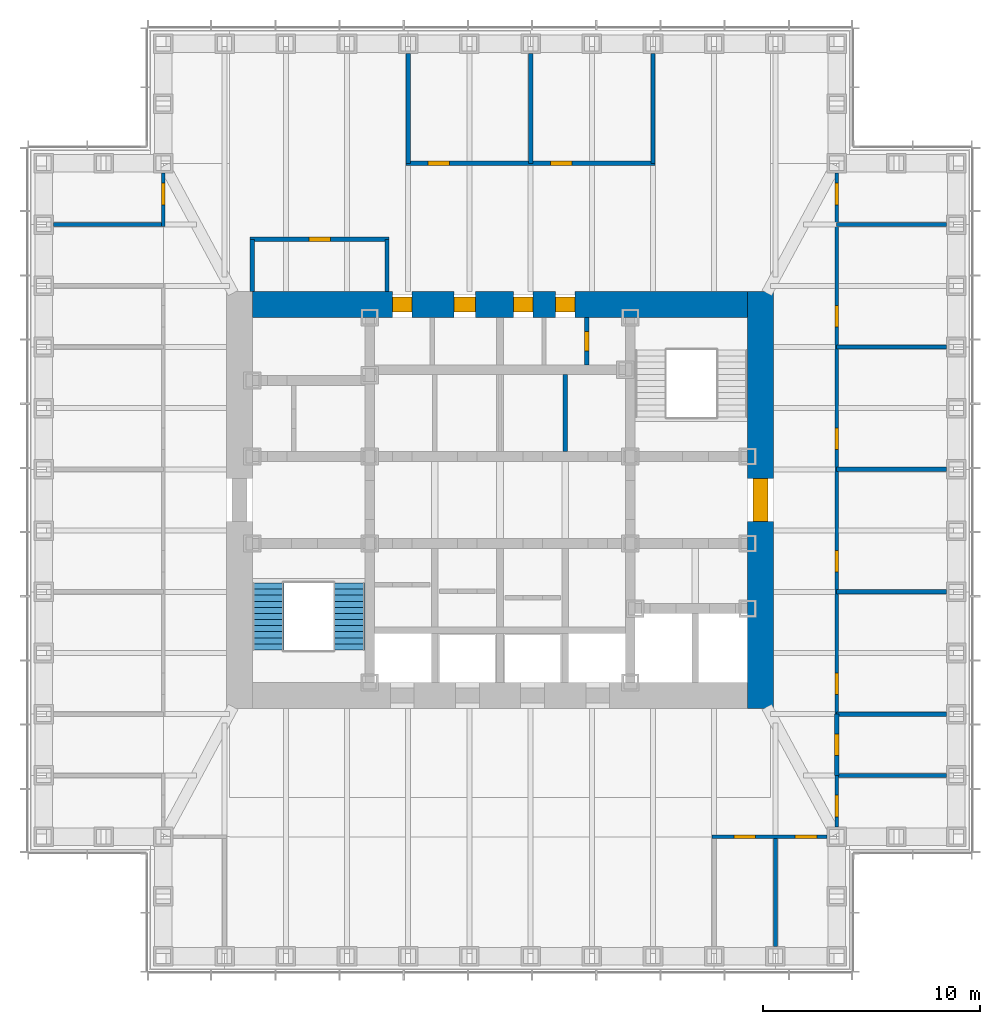
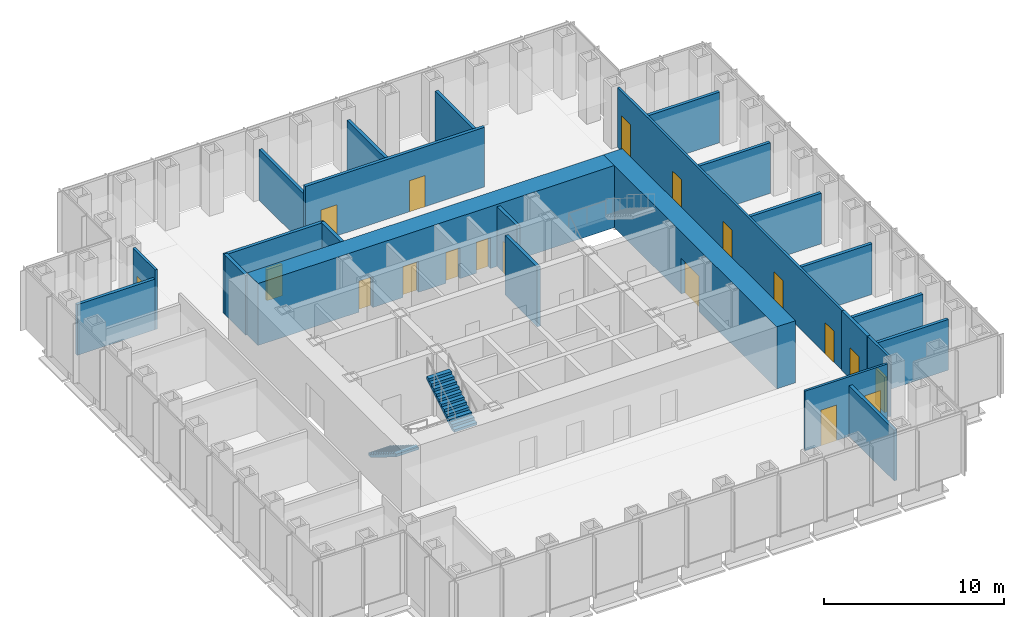
# One storey, part 10 of 17: 24 walls, 19 doors, 2 stair flights, 19 openings, 1 element without a shape of its own.
"""IFC4 building model written with IfcOpenShell, lengths in metres."""

from ifc_helpers import new_model, si_unit, direction, frame, frame_2d, origin, place, context, subcontext, project, spatial, polyline, rectangle, outline, extrude, material, layer, layer_set, type_object, element, fill, aggregate, save


model = new_model("IFC4")

# Units and contexts
model_context = context("Model", 3, precision=1e-05, world=origin(), true_north=direction((0.0, 1.0)))
body_context = subcontext(model_context, "Body", "Model", "MODEL_VIEW")
ifc_project = project(units=[si_unit("LENGTHUNIT", "METRE"), si_unit("AREAUNIT", "SQUARE_METRE"), si_unit("VOLUMEUNIT", "CUBIC_METRE"), si_unit("PLANEANGLEUNIT", "RADIAN"), si_unit("MASSUNIT", "GRAM", prefix="KILO")], contexts=[model_context])

# Site, building, storey
site_placement = place(None, origin())
site = spatial("IfcSite", under=ifc_project, at=site_placement, CompositionType="ELEMENT")
building_placement = place(site_placement, origin())
building = spatial("IfcBuilding", under=site, at=building_placement, Name="Daluyong Arena Tower", CompositionType="ELEMENT")
storey_placement = place(building_placement, frame((0.0, 0.0, 193.89990234375)))
storey = spatial("IfcBuildingStorey", under=building, at=storey_placement, Name="L43", CompositionType="ELEMENT", Elevation=193.89990234375)

# Wall, opening, door
ifc_material_1 = material(Name="Concrete fc' 60 MPa", Category="concrete")
ifc_layer_1 = layer(ifc_material_1, 1.199951171875)
ifc_layer_set_1 = layer_set([ifc_layer_1], Name="Concrete fc' 60 MPa")
wall_type_1 = type_object("IfcWallType", Name="Core wall 1200", PredefinedType="SHEAR", material=ifc_layer_set_1)
wall_1_placement = place(storey_placement, frame((68.0, 70.39990234375, 0.0), z_axis=(0.0, 0.0, 1.0), x_axis=(0.0, 1.0, 0.0)))
wall_1 = element("IfcWall", 1, at=wall_1_placement, inside=storey, type_object=wall_type_1, Name="core wall at L43", PredefinedType="SHEAR", context=body_context, shape_type="SweptSolid", body=[
    extrude(rectangle(XDim=19.2001953125, YDim=1.199951171875, at=frame_2d((9.60009765625, 0.0))), origin(), (0.0, 0.0, 1.0), 4.2001953125),
])
opening_1_placement = place(wall_1_placement, frame((8.60009765625, 0.0, 0.0)))
opening_1 = element("IfcOpeningElement", 2, at=opening_1_placement, cuts=wall_1, Name="Opening 43023", PredefinedType="OPENING", context=body_context, shape_type="SweptSolid", body=[
    extrude(rectangle(XDim=2.0, YDim=2.39990234375, at=frame_2d((1.0, 1.199951171875))), frame((0.0, 0.60986328125, 0.0), z_axis=(0.0, -1.0, 0.0), x_axis=(1.0, 0.0, 0.0)), (0.0, 0.0, 1.0), 1.219970703125),
])
ifc_material_2 = material(Name="Steel door, fire rated", Category="steel")
door_type_1 = type_object("IfcDoorType", Name="Core lobby double door 2000", OperationType="DOUBLE_DOOR_SINGLE_SWING", PredefinedType="DOOR", material=ifc_material_2)
door_1_placement = place(opening_1_placement, origin())
door_1 = element("IfcDoor", 3, at=door_1_placement, inside=storey, type_object=door_type_1, Name="core lobby door east 43023", OperationType="DOUBLE_DOOR_SINGLE_SWING", OverallHeight=2.39990234375, OverallWidth=2.0, PredefinedType="DOOR", context=body_context, shape_type="SweptSolid", body=[
    extrude(rectangle(XDim=2.0, YDim=2.39990234375, at=frame_2d((1.0, 1.199951171875))), frame((0.0, 0.35009765625, 0.0), z_axis=(0.0, -1.0, 0.0), x_axis=(1.0, 0.0, 0.0)), (0.0, 0.0, 1.0), 0.699951171875),
])
fill(opening_1, door_1)

# Wall, openings, doors
wall_2_placement = place(storey_placement, frame((44.60009765625, 89.0, 0.0), z_axis=(0.0, 0.0, 1.0), x_axis=(1.0, 0.0, 0.0)))
wall_2 = element("IfcWall", 4, at=wall_2_placement, inside=storey, type_object=wall_type_1, Name="core wall at L43", PredefinedType="SHEAR", context=body_context, shape_type="SweptSolid", body=[
    extrude(rectangle(XDim=22.7998046875, YDim=1.199951171875, at=frame_2d((11.39990234375, 0.0))), origin(), (0.0, 0.0, 1.0), 4.2001953125),
])
opening_2_placement = place(wall_2_placement, frame((9.27490234375, 0.0, 0.0)))
opening_2 = element("IfcOpeningElement", 5, at=opening_2_placement, cuts=wall_2, Name="Opening 43004", PredefinedType="OPENING", context=body_context, shape_type="SweptSolid", body=[
    extrude(rectangle(XDim=1.0, YDim=2.10009765625, at=frame_2d((0.5, 1.050048828125))), frame((0.0, 0.60986328125, 0.0), z_axis=(0.0, -1.0, 0.0), x_axis=(1.0, 0.0, 0.0)), (0.0, 0.0, 1.0), 1.219970703125),
])
opening_3_placement = place(wall_2_placement, frame((6.449951171875, 0.0, 0.0)))
opening_3 = element("IfcOpeningElement", 6, at=opening_3_placement, cuts=wall_2, Name="Opening 43005", PredefinedType="OPENING", context=body_context, shape_type="SweptSolid", body=[
    extrude(rectangle(XDim=0.89990234375, YDim=2.10009765625, at=frame_2d((0.449951171875, 1.050048828125))), frame((0.0, 0.60986328125, 0.0), z_axis=(0.0, -1.0, 0.0), x_axis=(1.0, 0.0, 0.0)), (0.0, 0.0, 1.0), 1.219970703125),
])
opening_4_placement = place(wall_2_placement, frame((12.02490234375, 0.0, 0.0)))
opening_4 = element("IfcOpeningElement", 7, at=opening_4_placement, cuts=wall_2, Name="Opening 43006", PredefinedType="OPENING", context=body_context, shape_type="SweptSolid", body=[
    extrude(rectangle(XDim=0.89990234375, YDim=2.10009765625, at=frame_2d((0.449951171875, 1.050048828125))), frame((0.0, 0.60986328125, 0.0), z_axis=(0.0, -1.0, 0.0), x_axis=(1.0, 0.0, 0.0)), (0.0, 0.0, 1.0), 1.219970703125),
])
opening_5_placement = place(wall_2_placement, frame((13.96240234375, 0.0, 0.0)))
opening_5 = element("IfcOpeningElement", 8, at=opening_5_placement, cuts=wall_2, Name="Opening 43007", PredefinedType="OPENING", context=body_context, shape_type="SweptSolid", body=[
    extrude(rectangle(XDim=0.89990234375, YDim=2.10009765625, at=frame_2d((0.449951171875, 1.050048828125))), frame((0.0, 0.60986328125, 0.0), z_axis=(0.0, -1.0, 0.0), x_axis=(1.0, 0.0, 0.0)), (0.0, 0.0, 1.0), 1.219970703125),
])
ifc_material_3 = material(Name="Timber door", Category="wood")
door_type_2 = type_object("IfcDoorType", Name="Accessible toilet door 1000", OperationType="SINGLE_SWING_LEFT", PredefinedType="DOOR", material=ifc_material_3)
door_2_placement = place(opening_2_placement, origin())
door_2 = element("IfcDoor", 9, at=door_2_placement, inside=storey, type_object=door_type_2, Name="accessible toilet door 43004", OperationType="SINGLE_SWING_LEFT", OverallHeight=2.10009765625, OverallWidth=1.0, PredefinedType="DOOR", context=body_context, shape_type="SweptSolid", body=[
    extrude(rectangle(XDim=1.0, YDim=2.10009765625, at=frame_2d((0.5, 1.050048828125))), frame((0.0, 0.35009765625, 0.0), z_axis=(0.0, -1.0, 0.0), x_axis=(1.0, 0.0, 0.0)), (0.0, 0.0, 1.0), 0.699951171875),
])
fill(opening_2, door_2)
ifc_material_4 = material(Name="Steel door, fire rated", Category="steel")
door_type_3 = type_object("IfcDoorType", Name="Core room door 900", OperationType="SINGLE_SWING_LEFT", PredefinedType="DOOR", material=ifc_material_4)
door_3_placement = place(opening_3_placement, origin())
door_3 = element("IfcDoor", 10, at=door_3_placement, inside=storey, type_object=door_type_3, Name="staff pantry door 43005", OperationType="SINGLE_SWING_LEFT", OverallHeight=2.10009765625, OverallWidth=0.89990234375, PredefinedType="DOOR", context=body_context, shape_type="SweptSolid", body=[
    extrude(rectangle(XDim=0.89990234375, YDim=2.10009765625, at=frame_2d((0.449951171875, 1.050048828125))), frame((0.0, 0.35009765625, 0.0), z_axis=(0.0, -1.0, 0.0), x_axis=(1.0, 0.0, 0.0)), (0.0, 0.0, 1.0), 0.699951171875),
])
fill(opening_3, door_3)
ifc_material_5 = material(Name="Steel door, fire rated", Category="steel")
door_type_4 = type_object("IfcDoorType", Name="Core store door 900", OperationType="SINGLE_SWING_LEFT", PredefinedType="DOOR", material=ifc_material_5)
door_4_placement = place(opening_4_placement, origin())
door_4 = element("IfcDoor", 11, at=door_4_placement, inside=storey, type_object=door_type_4, Name="cleaner's store door 43006", OperationType="SINGLE_SWING_LEFT", OverallHeight=2.10009765625, OverallWidth=0.89990234375, PredefinedType="DOOR", context=body_context, shape_type="SweptSolid", body=[
    extrude(rectangle(XDim=0.89990234375, YDim=2.10009765625, at=frame_2d((0.449951171875, 1.050048828125))), frame((0.0, 0.35009765625, 0.0), z_axis=(0.0, -1.0, 0.0), x_axis=(1.0, 0.0, 0.0)), (0.0, 0.0, 1.0), 0.699951171875),
])
fill(opening_4, door_4)
door_5_placement = place(opening_5_placement, origin())
door_5 = element("IfcDoor", 12, at=door_5_placement, inside=storey, type_object=door_type_4, Name="security store door 43007", OperationType="SINGLE_SWING_LEFT", OverallHeight=2.10009765625, OverallWidth=0.89990234375, PredefinedType="DOOR", context=body_context, shape_type="SweptSolid", body=[
    extrude(rectangle(XDim=0.89990234375, YDim=2.10009765625, at=frame_2d((0.449951171875, 1.050048828125))), frame((0.0, 0.35009765625, 0.0), z_axis=(0.0, -1.0, 0.0), x_axis=(1.0, 0.0, 0.0)), (0.0, 0.0, 1.0), 0.699951171875),
])
fill(opening_5, door_5)

# Wall, opening, door
ifc_material_6 = material(Name="Concrete block partition, fire rated", Category="concrete")
ifc_layer_2 = layer(ifc_material_6, 0.199951171875)
ifc_layer_set_2 = layer_set([ifc_layer_2], Name="Concrete block partition, fire rated")
wall_type_2 = type_object("IfcWallType", Name="Fire-rated partition 200", PredefinedType="PARTITIONING", material=ifc_layer_set_2)
wall_3_placement = place(storey_placement, frame((60.0, 86.22509765625, 0.0), z_axis=(0.0, 0.0, 1.0), x_axis=(0.0, 1.0, 0.0)))
wall_3 = element("IfcWall", 13, at=wall_3_placement, inside=storey, type_object=wall_type_2, Name="electrical riser enclosure at L43", PredefinedType="PARTITIONING", context=body_context, shape_type="SweptSolid", body=[
    extrude(rectangle(XDim=2.1748046875, YDim=0.199951171875, at=frame_2d((1.08740234375, 0.0))), origin(), (0.0, 0.0, 1.0), 4.0400390625),
])
opening_6_placement = place(wall_3_placement, frame((0.637451171875, 0.0, 0.0)))
opening_6 = element("IfcOpeningElement", 14, at=opening_6_placement, cuts=wall_3, Name="Opening 43008", PredefinedType="OPENING", context=body_context, shape_type="SweptSolid", body=[
    extrude(rectangle(XDim=0.89990234375, YDim=2.10009765625, at=frame_2d((0.449951171875, 1.050048828125))), frame((0.0, 0.10986328125, 0.0), z_axis=(0.0, -1.0, 0.0), x_axis=(1.0, 0.0, 0.0)), (0.0, 0.0, 1.0), 0.219970703125),
])
ifc_material_7 = material(Name="Steel door, fire rated", Category="steel")
door_type_5 = type_object("IfcDoorType", Name="Riser door 900", OperationType="SINGLE_SWING_LEFT", PredefinedType="DOOR", material=ifc_material_7)
door_6_placement = place(opening_6_placement, origin())
door_6 = element("IfcDoor", 15, at=door_6_placement, inside=storey, type_object=door_type_5, Name="riser door 43008", OperationType="SINGLE_SWING_LEFT", OverallHeight=2.10009765625, OverallWidth=0.89990234375, PredefinedType="DOOR", context=body_context, shape_type="SweptSolid", body=[
    extrude(rectangle(XDim=0.89990234375, YDim=2.10009765625, at=frame_2d((0.449951171875, 1.050048828125))), frame((0.0, 0.099609375, 0.0), z_axis=(0.0, -1.0, 0.0), x_axis=(1.0, 0.0, 0.0)), (0.0, 0.0, 1.0), 0.199462890625),
])
fill(opening_6, door_6)

# Wall
wall_4_placement = place(storey_placement, frame((59.0, 82.22509765625, 0.0), z_axis=(0.0, 0.0, 1.0), x_axis=(0.0, 1.0, 0.0)))
element("IfcWall", 16, at=wall_4_placement, inside=storey, type_object=wall_type_2, Name="core room partition at L43", PredefinedType="PARTITIONING", context=body_context, shape_type="SweptSolid", body=[
    extrude(rectangle(XDim=3.5498046875, YDim=0.199951171875, at=frame_2d((1.77490234375, 0.0))), origin(), (0.0, 0.0, 1.0), 4.0400390625),
])

# Wall, openings, doors
ifc_material_8 = material(Name="Glazed aluminium partition", Category="aluminium")
ifc_layer_3 = layer(ifc_material_8, 0.14990234375)
ifc_layer_set_3 = layer_set([ifc_layer_3], Name="Glazed aluminium partition")
wall_type_3 = type_object("IfcWallType", Name="Glazed partition 150", PredefinedType="PARTITIONING", material=ifc_layer_set_3)
wall_5_placement = place(storey_placement, frame((65.763671875, 64.5, 0.0), z_axis=(0.0, 0.0, 1.0), x_axis=(1.0, 0.0, 0.0)))
wall_5 = element("IfcWall", 17, at=wall_5_placement, inside=storey, type_object=wall_type_3, Name="glazed partition at L43", PredefinedType="PARTITIONING", context=body_context, shape_type="SweptSolid", body=[
    extrude(rectangle(XDim=5.286376953125, YDim=0.14990234375, at=frame_2d((2.64306640625, 0.0))), origin(), (0.0, 0.0, 1.0), 4.0400390625),
])
opening_7_placement = place(wall_5_placement, frame((1.009033203125, 0.0, 0.0)))
opening_7 = element("IfcOpeningElement", 18, at=opening_7_placement, cuts=wall_5, Name="Opening 43034", PredefinedType="OPENING", context=body_context, shape_type="SweptSolid", body=[
    extrude(rectangle(XDim=1.0, YDim=2.39990234375, at=frame_2d((0.5, 1.199951171875))), frame((0.0, 0.0849609375, 0.0), z_axis=(0.0, -1.0, 0.0), x_axis=(1.0, 0.0, 0.0)), (0.0, 0.0, 1.0), 0.169921875),
])
opening_8_placement = place(wall_5_placement, frame((3.827392578125, 0.0, 0.0)))
opening_8 = element("IfcOpeningElement", 19, at=opening_8_placement, cuts=wall_5, Name="Opening 43035", PredefinedType="OPENING", context=body_context, shape_type="SweptSolid", body=[
    extrude(rectangle(XDim=1.0, YDim=2.39990234375, at=frame_2d((0.5, 1.199951171875))), frame((0.0, 0.0849609375, 0.0), z_axis=(0.0, -1.0, 0.0), x_axis=(1.0, 0.0, 0.0)), (0.0, 0.0, 1.0), 0.169921875),
])
ifc_material_9 = material(Name="Glazed aluminium door", Category="aluminium")
door_type_6 = type_object("IfcDoorType", Name="Meeting room glazed door 1000", OperationType="SINGLE_SWING_RIGHT", PredefinedType="DOOR", material=ifc_material_9)
door_7_placement = place(opening_7_placement, origin())
door_7 = element("IfcDoor", 20, at=door_7_placement, inside=storey, type_object=door_type_6, Name="focus room door 43034", OperationType="SINGLE_SWING_RIGHT", OverallHeight=2.39990234375, OverallWidth=1.0, PredefinedType="DOOR", context=body_context, shape_type="SweptSolid", body=[
    extrude(rectangle(XDim=1.0, YDim=2.39990234375, at=frame_2d((0.5, 1.199951171875))), frame((0.0, 0.07470703125, 0.0), z_axis=(0.0, -1.0, 0.0), x_axis=(1.0, 0.0, 0.0)), (0.0, 0.0, 1.0), 0.1494140625),
])
fill(opening_7, door_7)
door_8_placement = place(opening_8_placement, origin())
door_8 = element("IfcDoor", 21, at=door_8_placement, inside=storey, type_object=door_type_6, Name="focus room door 43035", OperationType="SINGLE_SWING_RIGHT", OverallHeight=2.39990234375, OverallWidth=1.0, PredefinedType="DOOR", context=body_context, shape_type="SweptSolid", body=[
    extrude(rectangle(XDim=1.0, YDim=2.39990234375, at=frame_2d((0.5, 1.199951171875))), frame((0.0, 0.07470703125, 0.0), z_axis=(0.0, -1.0, 0.0), x_axis=(1.0, 0.0, 0.0)), (0.0, 0.0, 1.0), 0.1494140625),
])
fill(opening_8, door_8)

# Wall, opening, door
wall_6_placement = place(storey_placement, frame((40.5, 92.581787109375, 0.0), z_axis=(0.0, 0.0, 1.0), x_axis=(0.0, 1.0, 0.0)))
wall_6 = element("IfcWall", 22, at=wall_6_placement, inside=storey, type_object=wall_type_3, Name="glazed partition at L43", PredefinedType="PARTITIONING", context=body_context, shape_type="SweptSolid", body=[
    extrude(rectangle(XDim=2.46826171875, YDim=0.14990234375, at=frame_2d((1.234130859375, 0.0))), origin(), (0.0, 0.0, 1.0), 4.0400390625),
])
opening_9_placement = place(wall_6_placement, frame((1.009033203125, 0.0, 0.0)))
opening_9 = element("IfcOpeningElement", 23, at=opening_9_placement, cuts=wall_6, Name="Opening 43050", PredefinedType="OPENING", context=body_context, shape_type="SweptSolid", body=[
    extrude(rectangle(XDim=1.0, YDim=2.39990234375, at=frame_2d((0.5, 1.199951171875))), frame((0.0, 0.0849609375, 0.0), z_axis=(0.0, -1.0, 0.0), x_axis=(1.0, 0.0, 0.0)), (0.0, 0.0, 1.0), 0.169921875),
])
door_9_placement = place(opening_9_placement, origin())
door_9 = element("IfcDoor", 24, at=door_9_placement, inside=storey, type_object=door_type_6, Name="focus room door 43050", OperationType="SINGLE_SWING_RIGHT", OverallHeight=2.39990234375, OverallWidth=1.0, PredefinedType="DOOR", context=body_context, shape_type="SweptSolid", body=[
    extrude(rectangle(XDim=1.0, YDim=2.39990234375, at=frame_2d((0.5, 1.199951171875))), frame((0.0, 0.07470703125, 0.0), z_axis=(0.0, -1.0, 0.0), x_axis=(1.0, 0.0, 0.0)), (0.0, 0.0, 1.0), 0.1494140625),
])
fill(opening_9, door_9)

wall_7_placement = place(storey_placement, frame((71.5, 64.949951171875, 0.0), z_axis=(0.0, 0.0, 1.0), x_axis=(0.0, 1.0, 0.0)))
wall_7 = element("IfcWall", 25, at=wall_7_placement, inside=storey, type_object=wall_type_3, Name="glazed partition at L43", PredefinedType="PARTITIONING", context=body_context, shape_type="SweptSolid", body=[
    extrude(rectangle(XDim=2.3681640625, YDim=0.14990234375, at=frame_2d((1.18408203125, 0.0))), origin(), (0.0, 0.0, 1.0), 4.0400390625),
])
opening_10_placement = place(wall_7_placement, frame((0.458984375, 0.0, 0.0)))
opening_10 = element("IfcOpeningElement", 26, at=opening_10_placement, cuts=wall_7, Name="Opening 43036", PredefinedType="OPENING", context=body_context, shape_type="SweptSolid", body=[
    extrude(rectangle(XDim=1.0, YDim=2.39990234375, at=frame_2d((0.5, 1.199951171875))), frame((0.0, 0.0849609375, 0.0), z_axis=(0.0, -1.0, 0.0), x_axis=(1.0, 0.0, 0.0)), (0.0, 0.0, 1.0), 0.169921875),
])
door_10_placement = place(opening_10_placement, origin())
door_10 = element("IfcDoor", 27, at=door_10_placement, inside=storey, type_object=door_type_6, Name="focus room door 43036", OperationType="SINGLE_SWING_RIGHT", OverallHeight=2.39990234375, OverallWidth=1.0, PredefinedType="DOOR", context=body_context, shape_type="SweptSolid", body=[
    extrude(rectangle(XDim=1.0, YDim=2.39990234375, at=frame_2d((0.5, 1.199951171875))), frame((0.0, 0.07470703125, 0.0), z_axis=(0.0, -1.0, 0.0), x_axis=(1.0, 0.0, 0.0)), (0.0, 0.0, 1.0), 0.1494140625),
])
fill(opening_10, door_10)

# Wall, openings, doors
wall_8_placement = place(storey_placement, frame((71.5, 70.136474609375, 0.0), z_axis=(0.0, 0.0, 1.0), x_axis=(0.0, 1.0, 0.0)))
wall_8 = element("IfcWall", 28, at=wall_8_placement, inside=storey, type_object=wall_type_3, Name="glazed partition at L43", PredefinedType="PARTITIONING", context=body_context, shape_type="SweptSolid", body=[
    extrude(rectangle(XDim=24.91357421875, YDim=0.14990234375, at=frame_2d((12.456787109375, 0.0))), origin(), (0.0, 0.0, 1.0), 4.0400390625),
])
opening_11_placement = place(wall_8_placement, frame((0.9091796875, 0.0, 0.0)))
opening_11 = element("IfcOpeningElement", 29, at=opening_11_placement, cuts=wall_8, Name="Opening 43038", PredefinedType="OPENING", context=body_context, shape_type="SweptSolid", body=[
    extrude(rectangle(XDim=1.0, YDim=2.10009765625, at=frame_2d((0.5, 1.050048828125))), frame((0.0, 0.0849609375, 0.0), z_axis=(0.0, -1.0, 0.0), x_axis=(1.0, 0.0, 0.0)), (0.0, 0.0, 1.0), 0.169921875),
])
opening_12_placement = place(wall_8_placement, frame((6.54541015625, 0.0, 0.0)))
opening_12 = element("IfcOpeningElement", 30, at=opening_12_placement, cuts=wall_8, Name="Opening 43039", PredefinedType="OPENING", context=body_context, shape_type="SweptSolid", body=[
    extrude(rectangle(XDim=1.0, YDim=2.10009765625, at=frame_2d((0.5, 1.050048828125))), frame((0.0, 0.0849609375, 0.0), z_axis=(0.0, -1.0, 0.0), x_axis=(1.0, 0.0, 0.0)), (0.0, 0.0, 1.0), 0.169921875),
])
opening_13_placement = place(wall_8_placement, frame((12.181884765625, 0.0, 0.0)))
opening_13 = element("IfcOpeningElement", 31, at=opening_13_placement, cuts=wall_8, Name="Opening 43040", PredefinedType="OPENING", context=body_context, shape_type="SweptSolid", body=[
    extrude(rectangle(XDim=1.0, YDim=2.10009765625, at=frame_2d((0.5, 1.050048828125))), frame((0.0, 0.0849609375, 0.0), z_axis=(0.0, -1.0, 0.0), x_axis=(1.0, 0.0, 0.0)), (0.0, 0.0, 1.0), 0.169921875),
])
opening_14_placement = place(wall_8_placement, frame((17.818115234375, 0.0, 0.0)))
opening_14 = element("IfcOpeningElement", 32, at=opening_14_placement, cuts=wall_8, Name="Opening 43041", PredefinedType="OPENING", context=body_context, shape_type="SweptSolid", body=[
    extrude(rectangle(XDim=1.0, YDim=2.10009765625, at=frame_2d((0.5, 1.050048828125))), frame((0.0, 0.0849609375, 0.0), z_axis=(0.0, -1.0, 0.0), x_axis=(1.0, 0.0, 0.0)), (0.0, 0.0, 1.0), 0.169921875),
])
opening_15_placement = place(wall_8_placement, frame((23.45458984375, 0.0, 0.0)))
opening_15 = element("IfcOpeningElement", 33, at=opening_15_placement, cuts=wall_8, Name="Opening 43042", PredefinedType="OPENING", context=body_context, shape_type="SweptSolid", body=[
    extrude(rectangle(XDim=1.0, YDim=2.39990234375, at=frame_2d((0.5, 1.199951171875))), frame((0.0, 0.0849609375, 0.0), z_axis=(0.0, -1.0, 0.0), x_axis=(1.0, 0.0, 0.0)), (0.0, 0.0, 1.0), 0.169921875),
])
door_11_placement = place(opening_15_placement, origin())
door_11 = element("IfcDoor", 34, at=door_11_placement, inside=storey, type_object=door_type_6, Name="focus room door 43042", OperationType="SINGLE_SWING_RIGHT", OverallHeight=2.39990234375, OverallWidth=1.0, PredefinedType="DOOR", context=body_context, shape_type="SweptSolid", body=[
    extrude(rectangle(XDim=1.0, YDim=2.39990234375, at=frame_2d((0.5, 1.199951171875))), frame((0.0, 0.07470703125, 0.0), z_axis=(0.0, -1.0, 0.0), x_axis=(1.0, 0.0, 0.0)), (0.0, 0.0, 1.0), 0.1494140625),
])
fill(opening_15, door_11)
ifc_material_10 = material(Name="Timber door", Category="wood")
door_type_7 = type_object("IfcDoorType", Name="Room door 1000", OperationType="SINGLE_SWING_LEFT", PredefinedType="DOOR", material=ifc_material_10)
door_12_placement = place(opening_11_placement, origin())
door_12 = element("IfcDoor", 35, at=door_12_placement, inside=storey, type_object=door_type_7, Name="office door 43038", OperationType="SINGLE_SWING_LEFT", OverallHeight=2.10009765625, OverallWidth=1.0, PredefinedType="DOOR", context=body_context, shape_type="SweptSolid", body=[
    extrude(rectangle(XDim=1.0, YDim=2.10009765625, at=frame_2d((0.5, 1.050048828125))), frame((0.0, 0.07470703125, 0.0), z_axis=(0.0, -1.0, 0.0), x_axis=(1.0, 0.0, 0.0)), (0.0, 0.0, 1.0), 0.1494140625),
])
fill(opening_11, door_12)
door_13_placement = place(opening_12_placement, origin())
door_13 = element("IfcDoor", 36, at=door_13_placement, inside=storey, type_object=door_type_7, Name="office door 43039", OperationType="SINGLE_SWING_LEFT", OverallHeight=2.10009765625, OverallWidth=1.0, PredefinedType="DOOR", context=body_context, shape_type="SweptSolid", body=[
    extrude(rectangle(XDim=1.0, YDim=2.10009765625, at=frame_2d((0.5, 1.050048828125))), frame((0.0, 0.07470703125, 0.0), z_axis=(0.0, -1.0, 0.0), x_axis=(1.0, 0.0, 0.0)), (0.0, 0.0, 1.0), 0.1494140625),
])
fill(opening_12, door_13)
door_14_placement = place(opening_13_placement, origin())
door_14 = element("IfcDoor", 37, at=door_14_placement, inside=storey, type_object=door_type_7, Name="office door 43040", OperationType="SINGLE_SWING_LEFT", OverallHeight=2.10009765625, OverallWidth=1.0, PredefinedType="DOOR", context=body_context, shape_type="SweptSolid", body=[
    extrude(rectangle(XDim=1.0, YDim=2.10009765625, at=frame_2d((0.5, 1.050048828125))), frame((0.0, 0.07470703125, 0.0), z_axis=(0.0, -1.0, 0.0), x_axis=(1.0, 0.0, 0.0)), (0.0, 0.0, 1.0), 0.1494140625),
])
fill(opening_13, door_14)
door_15_placement = place(opening_14_placement, origin())
door_15 = element("IfcDoor", 38, at=door_15_placement, inside=storey, type_object=door_type_7, Name="office door 43041", OperationType="SINGLE_SWING_LEFT", OverallHeight=2.10009765625, OverallWidth=1.0, PredefinedType="DOOR", context=body_context, shape_type="SweptSolid", body=[
    extrude(rectangle(XDim=1.0, YDim=2.10009765625, at=frame_2d((0.5, 1.050048828125))), frame((0.0, 0.07470703125, 0.0), z_axis=(0.0, -1.0, 0.0), x_axis=(1.0, 0.0, 0.0)), (0.0, 0.0, 1.0), 0.1494140625),
])
fill(opening_14, door_15)

# Walls
ifc_material_11 = material(Name="Concrete block partition", Category="concrete")
ifc_layer_4 = layer(ifc_material_11, 0.199951171875)
ifc_layer_set_4 = layer_set([ifc_layer_4], Name="Concrete block partition")
wall_type_4 = type_object("IfcWallType", Name="Partition 200", PredefinedType="PARTITIONING", material=ifc_layer_set_4)
for number, where, z_axis, x_axis, name in (
    (39, (68.681884765625, 59.449951171875, 0.0), (0.0, 0.0, 1.0), (0.0, 1.0, 0.0), "partition at L43"),
    (40, (71.5, 67.318115234375, 0.0), (0.0, 0.0, 1.0), (1.0, 0.0, 0.0), "partition at L43"),
    (41, (71.5, 70.136474609375, 0.0), (0.0, 0.0, 1.0), (1.0, 0.0, 0.0), "partition at L43"),
    (42, (71.5, 75.772705078125, 0.0), (0.0, 0.0, 1.0), (1.0, 0.0, 0.0), "partition at L43"),
    (43, (71.5, 81.4091796875, 0.0), (0.0, 0.0, 1.0), (1.0, 0.0, 0.0), "partition at L43"),
    (44, (71.5, 87.04541015625, 0.0), (0.0, 0.0, 1.0), (1.0, 0.0, 0.0), "partition at L43"),
    (45, (71.5, 92.681884765625, 0.0), (0.0, 0.0, 1.0), (1.0, 0.0, 0.0), "partition at L43"),
    (46, (51.772705078125, 95.5, 0.0), (0.0, 0.0, 1.0), (0.0, 1.0, 0.0), "partition at L43"),
    (47, (57.4091796875, 95.5, 0.0), (0.0, 0.0, 1.0), (0.0, 1.0, 0.0), "partition at L43"),
    (48, (63.04541015625, 95.5, 0.0), (0.0, 0.0, 1.0), (0.0, 1.0, 0.0), "partition at L43"),
    (49, (35.449951171875, 92.681884765625, 0.0), (0.0, 0.0, 1.0), (1.0, 0.0, 0.0), "partition at L43"),
):
    element("IfcWall", number, at=place(storey_placement, frame(where, z_axis=z_axis, x_axis=x_axis)), inside=storey, type_object=wall_type_4, Name=name, PredefinedType="PARTITIONING", context=body_context, shape_type="SweptSolid", body=[
        extrude(rectangle(XDim=5.050048828125, YDim=0.199951171875, at=frame_2d((2.52490234375, 0.0))), origin(), (0.0, 0.0, 1.0), 3.427978515625),
    ])
for number, where, z_axis, x_axis, name in (
    (50, (44.60009765625, 89.60009765625, 0.0), (0.0, 0.0, 1.0), (0.0, 1.0, 0.0), "partition at L43"),
    (51, (50.800048828125, 89.60009765625, 0.0), (0.0, 0.0, 1.0), (0.0, 1.0, 0.0), "partition at L43"),
):
    element("IfcWall", number, at=place(storey_placement, frame(where, z_axis=z_axis, x_axis=x_axis)), inside=storey, type_object=wall_type_4, Name=name, PredefinedType="PARTITIONING", context=body_context, shape_type="SweptSolid", body=[
        extrude(rectangle(XDim=2.39990234375, YDim=0.199951171875, at=frame_2d((1.199951171875, 0.0))), origin(), (0.0, 0.0, 1.0), 4.0400390625),
    ])

# Wall, opening, door
wall_9_placement = place(storey_placement, frame((44.5, 92.0, 0.0), z_axis=(0.0, 0.0, 1.0), x_axis=(1.0, 0.0, 0.0)))
wall_9 = element("IfcWall", 52, at=wall_9_placement, inside=storey, type_object=wall_type_4, Name="partition at L43", PredefinedType="PARTITIONING", context=body_context, shape_type="SweptSolid", body=[
    extrude(rectangle(XDim=6.39990234375, YDim=0.199951171875, at=frame_2d((3.199951171875, 0.0))), origin(), (0.0, 0.0, 1.0), 4.0400390625),
])
opening_16_placement = place(wall_9_placement, frame((2.699951171875, 0.0, 0.0)))
opening_16 = element("IfcOpeningElement", 53, at=opening_16_placement, cuts=wall_9, Name="Opening 43051", PredefinedType="OPENING", context=body_context, shape_type="SweptSolid", body=[
    extrude(rectangle(XDim=1.0, YDim=2.10009765625, at=frame_2d((0.5, 1.050048828125))), frame((0.0, 0.10986328125, 0.0), z_axis=(0.0, -1.0, 0.0), x_axis=(1.0, 0.0, 0.0)), (0.0, 0.0, 1.0), 0.219970703125),
])
door_16_placement = place(opening_16_placement, origin())
door_16 = element("IfcDoor", 54, at=door_16_placement, inside=storey, type_object=door_type_7, Name="copy room door 43051", OperationType="SINGLE_SWING_LEFT", OverallHeight=2.10009765625, OverallWidth=1.0, PredefinedType="DOOR", context=body_context, shape_type="SweptSolid", body=[
    extrude(rectangle(XDim=1.0, YDim=2.10009765625, at=frame_2d((0.5, 1.050048828125))), frame((0.0, 0.099609375, 0.0), z_axis=(0.0, -1.0, 0.0), x_axis=(1.0, 0.0, 0.0)), (0.0, 0.0, 1.0), 0.199462890625),
])
fill(opening_16, door_16)

# Wall, openings, doors
wall_10_placement = place(storey_placement, frame((51.672607421875, 95.5, 0.0), z_axis=(0.0, 0.0, 1.0), x_axis=(1.0, 0.0, 0.0)))
wall_10 = element("IfcWall", 55, at=wall_10_placement, inside=storey, type_object=wall_type_4, Name="partition at L43", PredefinedType="PARTITIONING", context=body_context, shape_type="SweptSolid", body=[
    extrude(rectangle(XDim=11.472900390625, YDim=0.199951171875, at=frame_2d((5.736328125, 0.0))), origin(), (0.0, 0.0, 1.0), 4.0400390625),
])
opening_17_placement = place(wall_10_placement, frame((1.009033203125, 0.0, 0.0)))
opening_17 = element("IfcOpeningElement", 56, at=opening_17_placement, cuts=wall_10, Name="Opening 43043", PredefinedType="OPENING", context=body_context, shape_type="SweptSolid", body=[
    extrude(rectangle(XDim=1.0, YDim=2.10009765625, at=frame_2d((0.5, 1.050048828125))), frame((0.0, 0.10986328125, 0.0), z_axis=(0.0, -1.0, 0.0), x_axis=(1.0, 0.0, 0.0)), (0.0, 0.0, 1.0), 0.219970703125),
])
opening_18_placement = place(wall_10_placement, frame((6.6455078125, 0.0, 0.0)))
opening_18 = element("IfcOpeningElement", 57, at=opening_18_placement, cuts=wall_10, Name="Opening 43044", PredefinedType="OPENING", context=body_context, shape_type="SweptSolid", body=[
    extrude(rectangle(XDim=1.0, YDim=2.10009765625, at=frame_2d((0.5, 1.050048828125))), frame((0.0, 0.10986328125, 0.0), z_axis=(0.0, -1.0, 0.0), x_axis=(1.0, 0.0, 0.0)), (0.0, 0.0, 1.0), 0.219970703125),
])
door_17_placement = place(opening_17_placement, origin())
door_17 = element("IfcDoor", 58, at=door_17_placement, inside=storey, type_object=door_type_7, Name="project room door 43043", OperationType="SINGLE_SWING_LEFT", OverallHeight=2.10009765625, OverallWidth=1.0, PredefinedType="DOOR", context=body_context, shape_type="SweptSolid", body=[
    extrude(rectangle(XDim=1.0, YDim=2.10009765625, at=frame_2d((0.5, 1.050048828125))), frame((0.0, 0.099609375, 0.0), z_axis=(0.0, -1.0, 0.0), x_axis=(1.0, 0.0, 0.0)), (0.0, 0.0, 1.0), 0.199462890625),
])
fill(opening_17, door_17)
door_18_placement = place(opening_18_placement, origin())
door_18 = element("IfcDoor", 59, at=door_18_placement, inside=storey, type_object=door_type_7, Name="pantry door 43044", OperationType="SINGLE_SWING_LEFT", OverallHeight=2.10009765625, OverallWidth=1.0, PredefinedType="DOOR", context=body_context, shape_type="SweptSolid", body=[
    extrude(rectangle(XDim=1.0, YDim=2.10009765625, at=frame_2d((0.5, 1.050048828125))), frame((0.0, 0.099609375, 0.0), z_axis=(0.0, -1.0, 0.0), x_axis=(1.0, 0.0, 0.0)), (0.0, 0.0, 1.0), 0.199462890625),
])
fill(opening_18, door_18)

# Wall, opening, door
wall_11_placement = place(storey_placement, frame((71.5, 67.318115234375, 0.0), z_axis=(0.0, 0.0, 1.0), x_axis=(0.0, 1.0, 0.0)))
wall_11 = element("IfcWall", 60, at=wall_11_placement, inside=storey, type_object=wall_type_4, Name="partition at L43", PredefinedType="PARTITIONING", context=body_context, shape_type="SweptSolid", body=[
    extrude(rectangle(XDim=2.818359375, YDim=0.199951171875, at=frame_2d((1.4091796875, 0.0))), origin(), (0.0, 0.0, 1.0), 4.0400390625),
])
opening_19_placement = place(wall_11_placement, frame((0.9091796875, 0.0, 0.0)))
opening_19 = element("IfcOpeningElement", 61, at=opening_19_placement, cuts=wall_11, Name="Opening 43037", PredefinedType="OPENING", context=body_context, shape_type="SweptSolid", body=[
    extrude(rectangle(XDim=1.0, YDim=2.10009765625, at=frame_2d((0.5, 1.050048828125))), frame((0.0, 0.10986328125, 0.0), z_axis=(0.0, -1.0, 0.0), x_axis=(1.0, 0.0, 0.0)), (0.0, 0.0, 1.0), 0.219970703125),
])
door_19_placement = place(opening_19_placement, origin())
door_19 = element("IfcDoor", 62, at=door_19_placement, inside=storey, type_object=door_type_7, Name="copy room door 43037", OperationType="SINGLE_SWING_LEFT", OverallHeight=2.10009765625, OverallWidth=1.0, PredefinedType="DOOR", context=body_context, shape_type="SweptSolid", body=[
    extrude(rectangle(XDim=1.0, YDim=2.10009765625, at=frame_2d((0.5, 1.050048828125))), frame((0.0, 0.099609375, 0.0), z_axis=(0.0, -1.0, 0.0), x_axis=(1.0, 0.0, 0.0)), (0.0, 0.0, 1.0), 0.199462890625),
])
fill(opening_19, door_19)

# Stair, stair flights
ifc_material_12 = material(Name="Concrete fc' 35 MPa", Category="concrete")
stair_type = type_object("IfcStairType", Name="Core exit stair", PredefinedType="HALF_TURN_STAIR", material=ifc_material_12)
stair_placement = place(storey_placement, origin())
stair = element("IfcStair", 63, at=stair_placement, inside=storey, type_object=stair_type, Name="exit stair A L43", PredefinedType="HALF_TURN_STAIR")
ifc_material_13 = material(Name="Concrete fc' 35 MPa", Category="concrete")
stair_flight_type = type_object("IfcStairFlightType", Name="Core stair flight", PredefinedType="STRAIGHT", material=ifc_material_13)
stair_flight_1_placement = place(storey_placement, frame((45.324951171875, 76.175048828125, 0.0), z_axis=(0.0, 0.0, 1.0), x_axis=(0.0, -1.0, 0.0)))
stair_flight_1 = element("IfcStairFlight", 64, at=stair_flight_1_placement, type_object=stair_flight_type, Name="STA flight 1", NumberOfRisers=12, NumberOfTreads=11, PredefinedType="STRAIGHT", RiserHeight=0.175, TreadLength=0.28, context=body_context, shape_type="SweptSolid", body=[
    extrude(outline(polyline([(0.0, 0.0), (0.0, 0.175048828125), (0.280029296875, 0.175048828125), (0.280029296875, 0.35009765625), (0.56005859375, 0.35009765625), (0.56005859375, 0.52490234375), (0.840087890625, 0.52490234375), (0.840087890625, 0.699951171875), (1.1201171875, 0.699951171875), (1.1201171875, 0.875), (1.39990234375, 0.875), (1.39990234375, 1.050048828125), (1.679931640625, 1.050048828125), (1.679931640625, 1.22509765625), (1.9599609375, 1.22509765625), (1.9599609375, 1.39990234375), (2.239990234375, 1.39990234375), (2.239990234375, 1.574951171875), (2.52001953125, 1.574951171875), (2.52001953125, 1.75), (2.800048828125, 1.75), (2.800048828125, 1.925048828125), (3.080078125, 1.925048828125), (3.080078125, 2.10009765625), (3.080078125, 1.748291015625), (0.28271484375, 0.0), (0.0, 0.0)])), frame((0.0, 0.72509765625, 0.0), z_axis=(0.0, -1.0, 0.0), x_axis=(1.0, 0.0, 0.0)), (0.0, 0.0, 1.0), 1.449951171875),
])
stair_flight_2_placement = place(storey_placement, frame((49.050048828125, 73.094970703125, 2.10009765625), z_axis=(0.0, 0.0, 1.0), x_axis=(0.0, 1.0, 0.0)))
stair_flight_2 = element("IfcStairFlight", 65, at=stair_flight_2_placement, type_object=stair_flight_type, Name="STA flight 2", NumberOfRisers=12, NumberOfTreads=11, PredefinedType="STRAIGHT", RiserHeight=0.175, TreadLength=0.28, context=body_context, shape_type="SweptSolid", body=[
    extrude(outline(polyline([(0.0, 0.0), (0.0, 0.175048828125), (0.280029296875, 0.175048828125), (0.280029296875, 0.35009765625), (0.56005859375, 0.35009765625), (0.56005859375, 0.52490234375), (0.840087890625, 0.52490234375), (0.840087890625, 0.699951171875), (1.1201171875, 0.699951171875), (1.1201171875, 0.875), (1.39990234375, 0.875), (1.39990234375, 1.050048828125), (1.679931640625, 1.050048828125), (1.679931640625, 1.22509765625), (1.9599609375, 1.22509765625), (1.9599609375, 1.39990234375), (2.239990234375, 1.39990234375), (2.239990234375, 1.574951171875), (2.52001953125, 1.574951171875), (2.52001953125, 1.75), (2.800048828125, 1.75), (2.800048828125, 1.925048828125), (3.080078125, 1.925048828125), (3.080078125, 2.10009765625), (3.080078125, 1.748291015625), (0.28271484375, 0.0), (0.0, 0.0)])), frame((0.0, 0.72509765625, 0.0), z_axis=(0.0, -1.0, 0.0), x_axis=(1.0, 0.0, 0.0)), (0.0, 0.0, 1.0), 1.449951171875),
])
aggregate(stair, [stair_flight_1, stair_flight_2])

save(model, "model.ifc")
